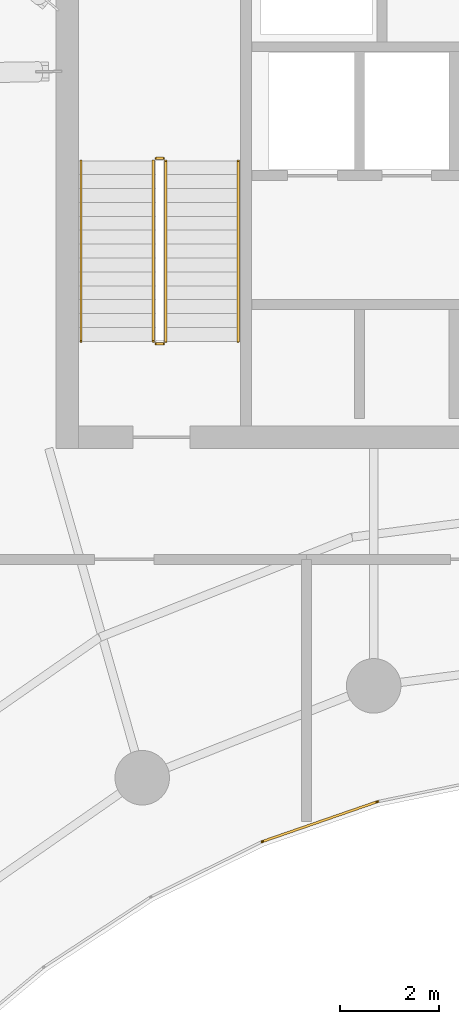
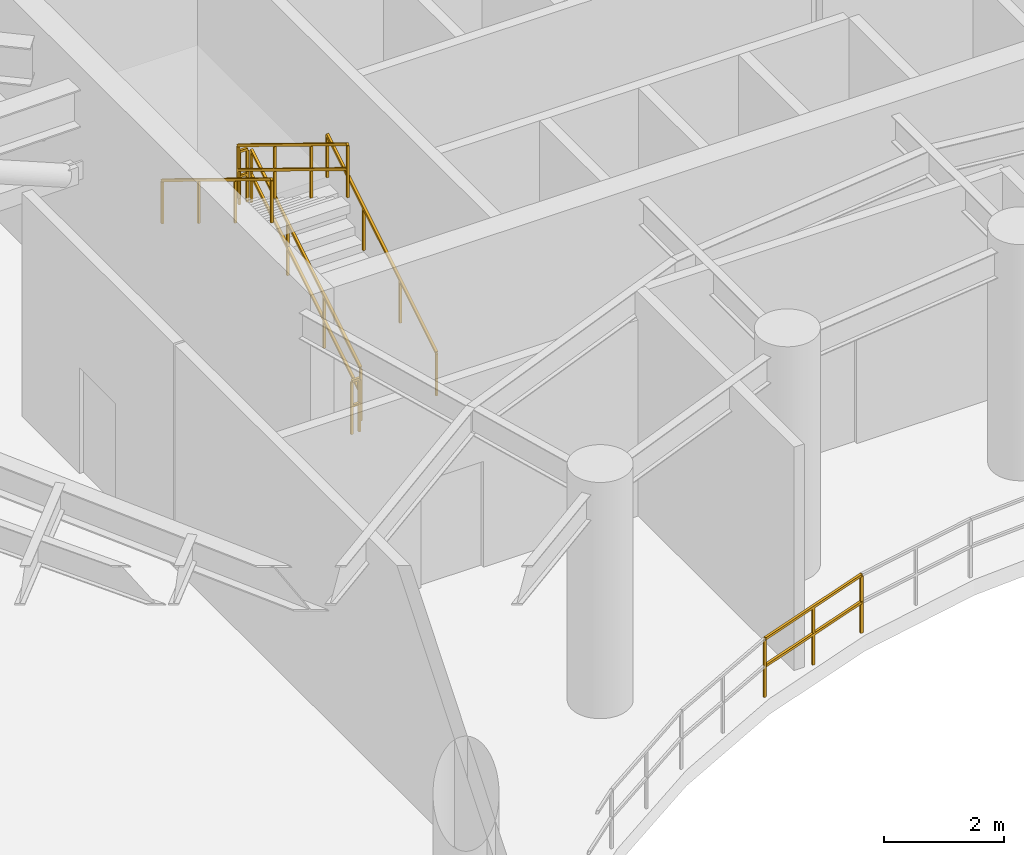
# One storey, part 13 of 19: 9 railings.
"""IFC4 building model written with IfcOpenShell, lengths in metres."""

from ifc_helpers import new_model, si_unit, direction, frame, origin, origin_2d, place, context, subcontext, project, spatial, rectangle, extrude, material, type_object, element, save


model = new_model("IFC4")

# Units and contexts
model_context = context("Model", 3, precision=1e-05, world=origin(), true_north=direction((0.0, 1.0)))
body_context = subcontext(model_context, "Body", "Model", "MODEL_VIEW")
ifc_project = project(units=[si_unit("LENGTHUNIT", "METRE"), si_unit("AREAUNIT", "SQUARE_METRE"), si_unit("VOLUMEUNIT", "CUBIC_METRE"), si_unit("PLANEANGLEUNIT", "RADIAN"), si_unit("MASSUNIT", "GRAM", prefix="KILO")], contexts=[model_context])

# Site, building, storey
site_placement = place(None, origin())
site = spatial("IfcSite", under=ifc_project, at=site_placement, CompositionType="ELEMENT")
building_placement = place(site_placement, origin())
building = spatial("IfcBuilding", under=site, at=building_placement, Name="Breltana Convention Tower", CompositionType="ELEMENT")
storey_placement = place(building_placement, frame((0.0, 0.0, 194.39990234375)))
storey = spatial("IfcBuildingStorey", under=building, at=storey_placement, Name="L47", CompositionType="ELEMENT", Elevation=194.39990234375)

# Railings
ifc_material_1 = material(Name="Steel S275 Painted", Category="steel")
railing_type_1 = type_object("IfcRailingType", Name="RL-STAIR-GUARD-1100", PredefinedType="GUARDRAIL", material=ifc_material_1)
railing_1_placement = place(storey_placement, frame((38.9599609375, 62.360107421875, 0.171630859375)))
element("IfcRailing", 1, at=railing_1_placement, inside=storey, type_object=railing_type_1, Name="L47 ST-1 stair guard 1", PredefinedType="GUARDRAIL", context=body_context, shape_type="SweptSolid", body=[
    extrude(rectangle(XDim=0.048095703125, YDim=0.048095703125, at=origin_2d()), frame((0.0, 0.0, 1.076171875), z_axis=(0.0, 0.852850264322, 0.5221555579), x_axis=(-1.0, 0.0, 0.0)), (0.0, 0.0, 1.0), 4.267822265625),
    extrude(rectangle(XDim=0.048095703125, YDim=0.048095703125, at=origin_2d()), frame((0.0, 0.0, 0.572021484375), z_axis=(0.0, 0.852850264322, 0.5221555579), x_axis=(-1.0, 0.0, 0.0)), (0.0, 0.0, 1.0), 4.267822265625),
    extrude(rectangle(XDim=0.0419921875, YDim=0.0419921875, at=origin_2d()), origin(), (0.0, 0.0, 1.0), 1.052001953125),
    extrude(rectangle(XDim=0.0419921875, YDim=0.0419921875, at=origin_2d()), frame((0.0, 1.21337890625, 0.742919921875)), (0.0, 0.0, 1.0), 1.052001953125),
    extrude(rectangle(XDim=0.0419921875, YDim=0.0419921875, at=origin_2d()), frame((0.0, 2.426513671875, 1.485595703125)), (0.0, 0.0, 1.0), 1.052001953125),
    extrude(rectangle(XDim=0.0419921875, YDim=0.0419921875, at=origin_2d()), frame((0.0, 3.639892578125, 2.228515625)), (0.0, 0.0, 1.0), 1.052001953125),
])
railing_2_placement = place(storey_placement, frame((38.909912109375, 66.050048828125, 2.400146484375)))
element("IfcRailing", 2, at=railing_2_placement, inside=storey, type_object=railing_type_1, Name="L47 ST-1 stair guard 2", PredefinedType="GUARDRAIL", context=body_context, shape_type="SweptSolid", body=[
    extrude(rectangle(XDim=0.048095703125, YDim=0.048095703125, at=origin_2d()), frame((0.0, 0.0, 1.076171875), z_axis=(-1.0, 0.0, 0.0), x_axis=(0.0, -1.0, 0.0)), (0.0, 0.0, 1.0), 0.14990234375),
    extrude(rectangle(XDim=0.048095703125, YDim=0.048095703125, at=origin_2d()), frame((0.0, 0.0, 0.572021484375), z_axis=(-1.0, 0.0, 0.0), x_axis=(0.0, -1.0, 0.0)), (0.0, 0.0, 1.0), 0.14990234375),
    extrude(rectangle(XDim=0.0419921875, YDim=0.0419921875, at=origin_2d()), origin(), (0.0, 0.0, 1.0), 1.052001953125),
    extrude(rectangle(XDim=0.0419921875, YDim=0.0419921875, at=origin_2d()), frame((-0.14990234375, 0.0, 0.0)), (0.0, 0.0, 1.0), 1.052001953125),
])
railing_3_placement = place(storey_placement, frame((38.7099609375, 66.0, 2.571533203125)))
element("IfcRailing", 3, at=railing_3_placement, inside=storey, type_object=railing_type_1, Name="L47 ST-1 stair guard 3", PredefinedType="GUARDRAIL", context=body_context, shape_type="SweptSolid", body=[
    extrude(rectangle(XDim=0.048095703125, YDim=0.048095703125, at=origin_2d()), frame((0.0, 0.0, 1.076171875), z_axis=(0.0, -0.852850264322, 0.5221555579), x_axis=(1.0, 0.0, 0.0)), (0.0, 0.0, 1.0), 4.267822265625),
    extrude(rectangle(XDim=0.048095703125, YDim=0.048095703125, at=origin_2d()), frame((0.0, 0.0, 0.572021484375), z_axis=(0.0, -0.852850264322, 0.5221555579), x_axis=(1.0, 0.0, 0.0)), (0.0, 0.0, 1.0), 4.267822265625),
    extrude(rectangle(XDim=0.0419921875, YDim=0.0419921875, at=origin_2d()), origin(), (0.0, 0.0, 1.0), 1.052001953125),
    extrude(rectangle(XDim=0.0419921875, YDim=0.0419921875, at=origin_2d()), frame((0.0, -1.21337890625, 0.742919921875)), (0.0, 0.0, 1.0), 1.052001953125),
    extrude(rectangle(XDim=0.0419921875, YDim=0.0419921875, at=origin_2d()), frame((0.0, -2.426513671875, 1.485595703125)), (0.0, 0.0, 1.0), 1.052001953125),
    extrude(rectangle(XDim=0.0419921875, YDim=0.0419921875, at=origin_2d()), frame((0.0, -3.639892578125, 2.228515625)), (0.0, 0.0, 1.0), 1.052001953125),
])
railing_4_placement = place(storey_placement, frame((38.909912109375, 62.31005859375, 0.0)))
element("IfcRailing", 4, at=railing_4_placement, inside=storey, type_object=railing_type_1, Name="L47 ST-1 stair guard 4", PredefinedType="GUARDRAIL", context=body_context, shape_type="SweptSolid", body=[
    extrude(rectangle(XDim=0.048095703125, YDim=0.048095703125, at=origin_2d()), frame((0.0, 0.0, 1.076171875), z_axis=(-1.0, 0.0, 0.0), x_axis=(0.0, -1.0, 0.0)), (0.0, 0.0, 1.0), 0.14990234375),
    extrude(rectangle(XDim=0.048095703125, YDim=0.048095703125, at=origin_2d()), frame((0.0, 0.0, 0.572021484375), z_axis=(-1.0, 0.0, 0.0), x_axis=(0.0, -1.0, 0.0)), (0.0, 0.0, 1.0), 0.14990234375),
    extrude(rectangle(XDim=0.0419921875, YDim=0.0419921875, at=origin_2d()), origin(), (0.0, 0.0, 1.0), 1.052001953125),
    extrude(rectangle(XDim=0.0419921875, YDim=0.0419921875, at=origin_2d()), frame((-0.14990234375, 0.0, 0.0)), (0.0, 0.0, 1.0), 1.052001953125),
])
ifc_material_2 = material(Name="Stainless Steel 316L", Category="steel")
railing_type_2 = type_object("IfcRailingType", Name="RL-STAIR-HANDRAIL-900", PredefinedType="HANDRAIL", material=ifc_material_2)
railing_5_placement = place(storey_placement, frame((40.419921875, 62.360107421875, 0.171630859375)))
element("IfcRailing", 5, at=railing_5_placement, inside=storey, type_object=railing_type_2, Name="L47 ST-1 stair handrail 1", PredefinedType="HANDRAIL", context=body_context, shape_type="SweptSolid", body=[
    extrude(rectangle(XDim=0.048095703125, YDim=0.048095703125, at=origin_2d()), frame((0.0, 0.0, 0.8759765625), z_axis=(0.0, 0.852850264322, 0.5221555579), x_axis=(-1.0, 0.0, 0.0)), (0.0, 0.0, 1.0), 4.267822265625),
    extrude(rectangle(XDim=0.0419921875, YDim=0.0419921875, at=origin_2d()), origin(), (0.0, 0.0, 1.0), 0.851806640625),
    extrude(rectangle(XDim=0.0419921875, YDim=0.0419921875, at=origin_2d()), frame((0.0, 1.21337890625, 0.742919921875)), (0.0, 0.0, 1.0), 0.851806640625),
    extrude(rectangle(XDim=0.0419921875, YDim=0.0419921875, at=origin_2d()), frame((0.0, 2.426513671875, 1.485595703125)), (0.0, 0.0, 1.0), 0.851806640625),
    extrude(rectangle(XDim=0.0419921875, YDim=0.0419921875, at=origin_2d()), frame((0.0, 3.639892578125, 2.228515625)), (0.0, 0.0, 1.0), 0.851806640625),
])
railing_6_placement = place(storey_placement, frame((37.25, 66.0, 2.571533203125)))
element("IfcRailing", 6, at=railing_6_placement, inside=storey, type_object=railing_type_2, Name="L47 ST-1 stair handrail 2", PredefinedType="HANDRAIL", context=body_context, shape_type="SweptSolid", body=[
    extrude(rectangle(XDim=0.048095703125, YDim=0.048095703125, at=origin_2d()), frame((0.0, 0.0, 0.8759765625), z_axis=(0.0, -0.852850264322, 0.5221555579), x_axis=(1.0, 0.0, 0.0)), (0.0, 0.0, 1.0), 4.267822265625),
    extrude(rectangle(XDim=0.0419921875, YDim=0.0419921875, at=origin_2d()), origin(), (0.0, 0.0, 1.0), 0.851806640625),
    extrude(rectangle(XDim=0.0419921875, YDim=0.0419921875, at=origin_2d()), frame((0.0, -1.21337890625, 0.742919921875)), (0.0, 0.0, 1.0), 0.851806640625),
    extrude(rectangle(XDim=0.0419921875, YDim=0.0419921875, at=origin_2d()), frame((0.0, -2.426513671875, 1.485595703125)), (0.0, 0.0, 1.0), 0.851806640625),
    extrude(rectangle(XDim=0.0419921875, YDim=0.0419921875, at=origin_2d()), frame((0.0, -3.639892578125, 2.228515625)), (0.0, 0.0, 1.0), 0.851806640625),
])
railing_type_3 = type_object("IfcRailingType", Name="RL-WIND-GUARD-1200", PredefinedType="BALUSTRADE", material=ifc_material_2)
railing_7_placement = place(storey_placement, frame((43.234619140625, 53.076171875, 0.0)))
element("IfcRailing", 7, at=railing_7_placement, inside=storey, type_object=railing_type_3, Name="L47 perimeter balustrade 29", PredefinedType="BALUSTRADE", context=body_context, shape_type="SweptSolid", body=[
    extrude(rectangle(XDim=0.048095703125, YDim=0.048095703125, at=origin_2d()), frame((0.0, 0.0, 1.17578125), z_axis=(-0.960823591181, -0.277160651302, 0.0), x_axis=(0.277160651302, -0.960823591181, 0.0)), (0.0, 0.0, 1.0), 0.01318359375),
    extrude(rectangle(XDim=0.048095703125, YDim=0.048095703125, at=origin_2d()), frame((0.0, 0.0, 0.6240234375), z_axis=(-0.960823591181, -0.277160651302, 0.0), x_axis=(0.277160651302, -0.960823591181, 0.0)), (0.0, 0.0, 1.0), 0.01318359375),
    extrude(rectangle(XDim=0.0419921875, YDim=0.0419921875, at=origin_2d()), origin(), (0.0, 0.0, 1.0), 1.15185546875),
    extrude(rectangle(XDim=0.0419921875, YDim=0.0419921875, at=origin_2d()), frame((-0.0126953125, -0.003662109375, 0.0)), (0.0, 0.0, 1.0), 1.15185546875),
])
railing_8_placement = place(storey_placement, frame((43.221923828125, 53.072509765625, 0.0)))
element("IfcRailing", 8, at=railing_8_placement, inside=storey, type_object=railing_type_3, Name="L47 perimeter balustrade 30", PredefinedType="BALUSTRADE", context=body_context, shape_type="SweptSolid", body=[
    extrude(rectangle(XDim=0.048095703125, YDim=0.048095703125, at=origin_2d()), frame((0.0, 0.0, 1.17578125), z_axis=(-0.944895881639, -0.327371001865, 0.0), x_axis=(0.327371001865, -0.944895881639, 0.0)), (0.0, 0.0, 1.0), 2.44677734375),
    extrude(rectangle(XDim=0.048095703125, YDim=0.048095703125, at=origin_2d()), frame((0.0, 0.0, 0.6240234375), z_axis=(-0.944895881639, -0.327371001865, 0.0), x_axis=(0.327371001865, -0.944895881639, 0.0)), (0.0, 0.0, 1.0), 2.44677734375),
    extrude(rectangle(XDim=0.0419921875, YDim=0.0419921875, at=origin_2d()), origin(), (0.0, 0.0, 1.0), 1.15185546875),
    extrude(rectangle(XDim=0.0419921875, YDim=0.0419921875, at=origin_2d()), frame((-1.156005859375, -0.400390625, 0.0)), (0.0, 0.0, 1.0), 1.15185546875),
    extrude(rectangle(XDim=0.0419921875, YDim=0.0419921875, at=origin_2d()), frame((-2.31201171875, -0.801025390625, 0.0)), (0.0, 0.0, 1.0), 1.15185546875),
])
railing_9_placement = place(storey_placement, frame((40.909912109375, 52.271484375, 0.0)))
element("IfcRailing", 9, at=railing_9_placement, inside=storey, type_object=railing_type_3, Name="L47 perimeter balustrade 31", PredefinedType="BALUSTRADE", context=body_context, shape_type="SweptSolid", body=[
    extrude(rectangle(XDim=0.048095703125, YDim=0.048095703125, at=origin_2d()), frame((0.0, 0.0, 1.17578125), z_axis=(-0.923076923077, -0.384615384615, 0.0), x_axis=(0.384615384615, -0.923076923077, 0.0)), (0.0, 0.0, 1.0), 0.0126953125),
    extrude(rectangle(XDim=0.048095703125, YDim=0.048095703125, at=origin_2d()), frame((0.0, 0.0, 0.6240234375), z_axis=(-0.923076923077, -0.384615384615, 0.0), x_axis=(0.384615384615, -0.923076923077, 0.0)), (0.0, 0.0, 1.0), 0.0126953125),
    extrude(rectangle(XDim=0.0419921875, YDim=0.0419921875, at=origin_2d()), origin(), (0.0, 0.0, 1.0), 1.15185546875),
    extrude(rectangle(XDim=0.0419921875, YDim=0.0419921875, at=origin_2d()), frame((-0.01171875, -0.0048828125, 0.0)), (0.0, 0.0, 1.0), 1.15185546875),
])

save(model, "model.ifc")
